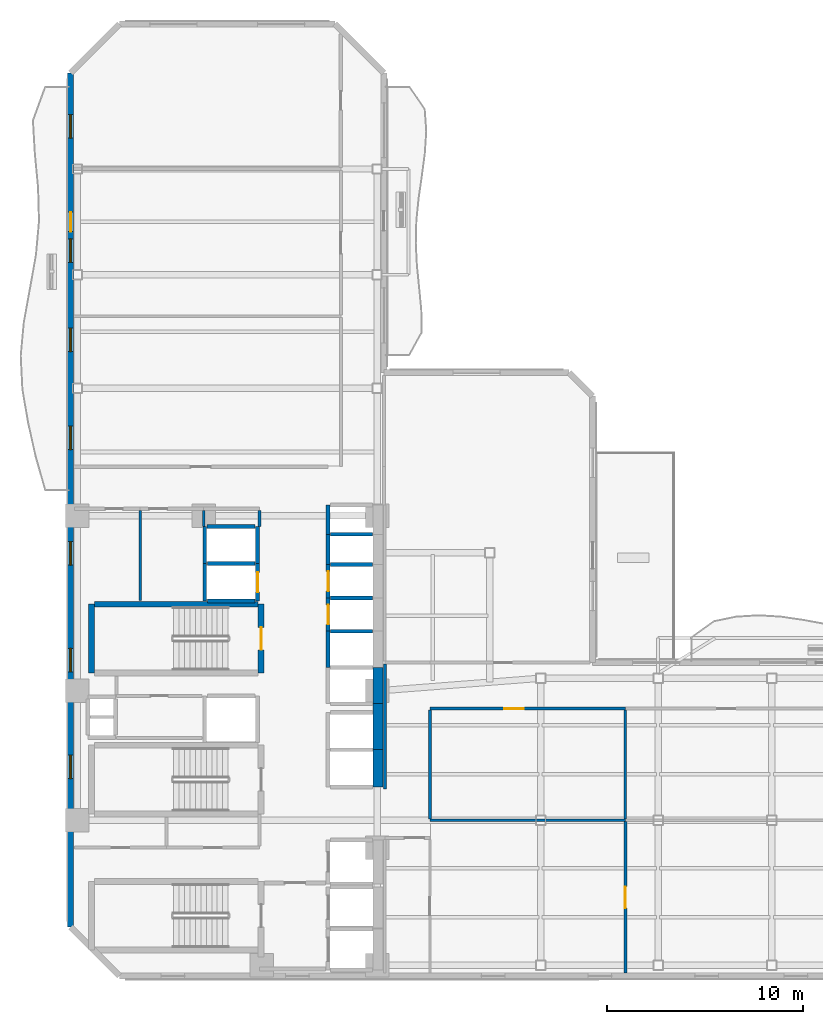
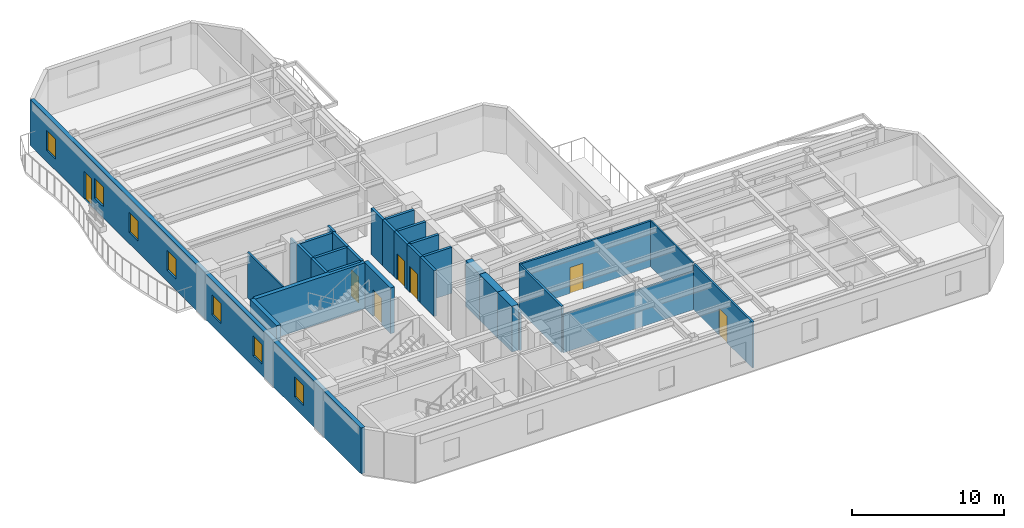
# One storey, part 4 of 11: 32 walls, 7 doors, 7 windows, 14 openings.
"""IFC4 building model written with IfcOpenShell, lengths in metres."""

from ifc_helpers import new_model, si_unit, direction, frame, frame_2d, origin, place, context, subcontext, project, spatial, rectangle, extrude, material, layer, layer_set, type_object, element, fill, save


model = new_model("IFC4")

# Units and contexts
model_context = context("Model", 3, precision=1e-05, world=origin(), true_north=direction((0.0, 1.0)))
body_context = subcontext(model_context, "Body", "Model", "MODEL_VIEW")
ifc_project = project(units=[si_unit("LENGTHUNIT", "METRE"), si_unit("AREAUNIT", "SQUARE_METRE"), si_unit("VOLUMEUNIT", "CUBIC_METRE"), si_unit("PLANEANGLEUNIT", "RADIAN"), si_unit("MASSUNIT", "GRAM", prefix="KILO")], contexts=[model_context])

# Site, building, storey
site_placement = place(None, origin())
site = spatial("IfcSite", under=ifc_project, at=site_placement, CompositionType="ELEMENT")
building_placement = place(site_placement, origin())
building = spatial("IfcBuilding", under=site, at=building_placement, Name="Mawjaban Terraces University", CompositionType="ELEMENT")
storey_placement = place(building_placement, frame((0.0, 0.0, 103.39990234375)))
storey = spatial("IfcBuildingStorey", under=building, at=storey_placement, Name="L24", CompositionType="ELEMENT", Elevation=103.39990234375)

# Walls
ifc_material_1 = material(Name="Concrete C60/75", Category="concrete")
ifc_layer_1 = layer(ifc_material_1, 0.5)
ifc_layer_set_1 = layer_set([ifc_layer_1], Name="Concrete C60/75")
wall_type_1 = type_object("IfcWallType", Name="CoreShearWall_500", PredefinedType="SHEAR", material=ifc_layer_set_1)
wall_1_placement = place(storey_placement, frame((37.699951171875, 9.64990234375, 0.0), z_axis=(0.0, 0.0, 1.0), x_axis=(0.0, 1.0, 0.0)))
element("IfcWall", 1, at=wall_1_placement, inside=storey, type_object=wall_type_1, Name="L24 Lift PL-H1 Hoistway Wall East", PredefinedType="SHEAR", context=body_context, shape_type="SweptSolid", body=[
    extrude(rectangle(XDim=1.900146484375, YDim=0.5, at=frame_2d((0.9501953125, 0.0))), origin(), (0.0, 0.0, 1.0), 3.690185546875),
])
wall_2_placement = place(storey_placement, frame((37.699951171875, 11.550048828125, 0.0), z_axis=(0.0, 0.0, 1.0), x_axis=(0.0, 1.0, 0.0)))
element("IfcWall", 2, at=wall_2_placement, inside=storey, type_object=wall_type_1, Name="L24 Lift PL-H2 Hoistway Wall East", PredefinedType="SHEAR", context=body_context, shape_type="SweptSolid", body=[
    extrude(rectangle(XDim=2.349853515625, YDim=0.5, at=frame_2d((1.1748046875, 0.0))), origin(), (0.0, 0.0, 1.0), 3.690185546875),
])
wall_3_placement = place(storey_placement, frame((37.699951171875, 13.89990234375, 0.0), z_axis=(0.0, 0.0, 1.0), x_axis=(0.0, 1.0, 0.0)))
element("IfcWall", 3, at=wall_3_placement, inside=storey, type_object=wall_type_1, Name="L24 Lift OL-1 Hoistway Wall East", PredefinedType="SHEAR", context=body_context, shape_type="SweptSolid", body=[
    extrude(rectangle(XDim=1.85009765625, YDim=0.5, at=frame_2d((0.925048828125, 0.0))), origin(), (0.0, 0.0, 1.0), 3.690185546875),
])

# Wall, opening, door
ifc_material_2 = material(Name="Fire-rated gypsum board on steel stud", Category="steel")
ifc_layer_2 = layer(ifc_material_2, 0.159912109375)
ifc_layer_set_2 = layer_set([ifc_layer_2], Name="Fire-rated gypsum board on steel stud")
wall_type_2 = type_object("IfcWallType", Name="CorridorPartition_160", PredefinedType="PARTITIONING", material=ifc_layer_set_2)
wall_4_placement = place(storey_placement, frame((40.35009765625, 13.64990234375, 0.0), z_axis=(0.0, 0.0, 1.0), x_axis=(1.0, 0.0, 0.0)))
wall_4 = element("IfcWall", 4, at=wall_4_placement, inside=storey, type_object=wall_type_2, Name="L24 Inner Terrace Gallery Corridor East Partition 14", PredefinedType="PARTITIONING", context=body_context, shape_type="SweptSolid", body=[
    extrude(rectangle(XDim=9.97998046875, YDim=0.159912109375, at=frame_2d((4.989990234375, 0.0))), origin(), (0.0, 0.0, 1.0), 3.690185546875),
])
opening_1_placement = place(wall_4_placement, frame((3.7900390625, 0.0, 0.0)))
opening_1 = element("IfcOpeningElement", 5, at=opening_1_placement, cuts=wall_4, Name="Opening ID-100", PredefinedType="OPENING", context=body_context, shape_type="SweptSolid", body=[
    extrude(rectangle(XDim=1.0, YDim=2.10009765625, at=frame_2d((0.5, 1.050048828125))), frame((0.0, 0.08984375, 0.0), z_axis=(0.0, -1.0, 0.0), x_axis=(1.0, 0.0, 0.0)), (0.0, 0.0, 1.0), 0.179931640625),
])
ifc_material_3 = material(Name="Powder-coated steel frame and solid acoustic timber leaf", Category="steel")
door_type_1 = type_object("IfcDoorType", Name="ClassroomDoor_1000x2100", OperationType="NOTDEFINED", PredefinedType="DOOR", material=ifc_material_3)
door_1_placement = place(opening_1_placement, origin())
door_1 = element("IfcDoor", 6, at=door_1_placement, inside=storey, type_object=door_type_1, Name="L24 Classroom 3 Door", OperationType="SINGLE_SWING_RIGHT", OverallHeight=2.10009765625, OverallWidth=1.0, PredefinedType="DOOR", context=body_context, shape_type="SweptSolid", body=[
    extrude(rectangle(XDim=1.0, YDim=2.10009765625, at=frame_2d((0.5, 1.050048828125))), frame((0.0, 0.02490234375, 0.0), z_axis=(0.0, -1.0, 0.0), x_axis=(1.0, 0.0, 0.0)), (0.0, 0.0, 1.0), 0.050048828125),
])
fill(opening_1, door_1)

# Walls
wall_5_placement = place(storey_placement, frame((31.64990234375, 23.77490234375, 0.0), z_axis=(0.0, 0.0, 1.0), x_axis=(0.0, -1.0, 0.0)))
element("IfcWall", 7, at=wall_5_placement, inside=storey, type_object=wall_type_2, Name="L24 Passenger Lift Lobby Partition 27", PredefinedType="PARTITIONING", context=body_context, shape_type="SweptSolid", body=[
    extrude(rectangle(XDim=0.824951171875, YDim=0.159912109375, at=frame_2d((0.41259765625, 0.0))), origin(), (0.0, 0.0, 1.0), 3.690185546875),
])
wall_6_placement = place(storey_placement, frame((38.050048828125, 15.925048828125, 0.0), z_axis=(0.0, 0.0, 1.0), x_axis=(0.0, -1.0, 0.0)))
element("IfcWall", 8, at=wall_6_placement, inside=storey, type_object=wall_type_2, Name="L24 Inner Gallery Link Corridor Partition 34", PredefinedType="PARTITIONING", context=body_context, shape_type="SweptSolid", body=[
    extrude(rectangle(XDim=6.375, YDim=0.159912109375, at=frame_2d((3.1875, 0.0))), origin(), (0.0, 0.0, 1.0), 3.07421875),
])
wall_7_placement = place(storey_placement, frame((40.35009765625, 8.008056640625, 0.0), z_axis=(0.0, 0.0, 1.0), x_axis=(0.0, 1.0, 0.0)))
element("IfcWall", 9, at=wall_7_placement, inside=storey, type_object=wall_type_2, Name="L24 Inner Gallery Link Corridor Partition 37", PredefinedType="PARTITIONING", context=body_context, shape_type="SweptSolid", body=[
    extrude(rectangle(XDim=5.56689453125, YDim=0.159912109375, at=frame_2d((2.783447265625, 0.0))), origin(), (0.0, 0.0, 1.0), 3.690185546875),
])

# Wall, openings, door, windows
ifc_material_4 = material(Name="Insulated terracotta rainscreen on concrete backup C40/50", Category="masonry")
ifc_layer_3 = layer(ifc_material_4, 0.300048828125)
ifc_layer_set_3 = layer_set([ifc_layer_3], Name="Insulated terracotta rainscreen on concrete backup C40/50")
wall_type_3 = type_object("IfcWallType", Name="ExtTerracottaWall_300", PredefinedType="SOLIDWALL", material=ifc_layer_set_3)
wall_8_placement = place(storey_placement, frame((22.0, 46.10009765625, 0.0), z_axis=(0.0, 0.0, 1.0), x_axis=(0.0, -1.0, 0.0)))
wall_8 = element("IfcWall", 10, at=wall_8_placement, inside=storey, type_object=wall_type_3, Name="L24 Exterior Terracotta Wall 13", PredefinedType="SOLIDWALL", context=body_context, shape_type="SweptSolid", body=[
    extrude(rectangle(XDim=43.60009765625, YDim=0.300048828125, at=frame_2d((21.800048828125, 0.0))), origin(), (0.0, 0.0, 1.0), 3.690185546875),
])
opening_2_placement = place(wall_8_placement, frame((7.10009765625, 0.0, 0.0)))
opening_2 = element("IfcOpeningElement", 11, at=opening_2_placement, cuts=wall_8, Name="Opening BD-100", PredefinedType="OPENING", context=body_context, shape_type="SweptSolid", body=[
    extrude(rectangle(XDim=1.0, YDim=2.199951171875, at=frame_2d((0.5, 1.10009765625))), frame((0.0, 0.159912109375, 0.0), z_axis=(0.0, -1.0, 0.0), x_axis=(1.0, 0.0, 0.0)), (0.0, 0.0, 1.0), 0.320068359375),
])
opening_3_placement = place(wall_8_placement, frame((2.125, 0.0, 0.89990234375)))
opening_3 = element("IfcOpeningElement", 12, at=opening_3_placement, cuts=wall_8, Name="Opening W-01", PredefinedType="OPENING", context=body_context, shape_type="SweptSolid", body=[
    extrude(rectangle(XDim=1.199951171875, YDim=1.60009765625, at=frame_2d((0.60009765625, 0.800048828125))), frame((0.0, 0.159912109375, 0.0), z_axis=(0.0, -1.0, 0.0), x_axis=(1.0, 0.0, 0.0)), (0.0, 0.0, 1.0), 0.320068359375),
])
opening_4_placement = place(wall_8_placement, frame((8.47509765625, 0.0, 0.89990234375)))
opening_4 = element("IfcOpeningElement", 13, at=opening_4_placement, cuts=wall_8, Name="Opening W-01", PredefinedType="OPENING", context=body_context, shape_type="SweptSolid", body=[
    extrude(rectangle(XDim=1.199951171875, YDim=1.60009765625, at=frame_2d((0.60009765625, 0.800048828125))), frame((0.0, 0.159912109375, 0.0), z_axis=(0.0, -1.0, 0.0), x_axis=(1.0, 0.0, 0.0)), (0.0, 0.0, 1.0), 0.320068359375),
])
opening_5_placement = place(wall_8_placement, frame((13.02490234375, 0.0, 0.89990234375)))
opening_5 = element("IfcOpeningElement", 14, at=opening_5_placement, cuts=wall_8, Name="Opening W-01", PredefinedType="OPENING", context=body_context, shape_type="SweptSolid", body=[
    extrude(rectangle(XDim=1.199951171875, YDim=1.60009765625, at=frame_2d((0.60009765625, 0.800048828125))), frame((0.0, 0.159912109375, 0.0), z_axis=(0.0, -1.0, 0.0), x_axis=(1.0, 0.0, 0.0)), (0.0, 0.0, 1.0), 0.320068359375),
])
opening_6_placement = place(wall_8_placement, frame((18.02490234375, 0.0, 0.89990234375)))
opening_6 = element("IfcOpeningElement", 15, at=opening_6_placement, cuts=wall_8, Name="Opening W-01", PredefinedType="OPENING", context=body_context, shape_type="SweptSolid", body=[
    extrude(rectangle(XDim=1.199951171875, YDim=1.60009765625, at=frame_2d((0.60009765625, 0.800048828125))), frame((0.0, 0.159912109375, 0.0), z_axis=(0.0, -1.0, 0.0), x_axis=(1.0, 0.0, 0.0)), (0.0, 0.0, 1.0), 0.320068359375),
])
opening_7_placement = place(wall_8_placement, frame((23.925048828125, 0.0, 0.89990234375)))
opening_7 = element("IfcOpeningElement", 16, at=opening_7_placement, cuts=wall_8, Name="Opening W-01", PredefinedType="OPENING", context=body_context, shape_type="SweptSolid", body=[
    extrude(rectangle(XDim=1.199951171875, YDim=1.60009765625, at=frame_2d((0.60009765625, 0.800048828125))), frame((0.0, 0.159912109375, 0.0), z_axis=(0.0, -1.0, 0.0), x_axis=(1.0, 0.0, 0.0)), (0.0, 0.0, 1.0), 0.320068359375),
])
opening_8_placement = place(wall_8_placement, frame((29.375, 0.0, 0.89990234375)))
opening_8 = element("IfcOpeningElement", 17, at=opening_8_placement, cuts=wall_8, Name="Opening W-01", PredefinedType="OPENING", context=body_context, shape_type="SweptSolid", body=[
    extrude(rectangle(XDim=1.199951171875, YDim=1.60009765625, at=frame_2d((0.60009765625, 0.800048828125))), frame((0.0, 0.159912109375, 0.0), z_axis=(0.0, -1.0, 0.0), x_axis=(1.0, 0.0, 0.0)), (0.0, 0.0, 1.0), 0.320068359375),
])
opening_9_placement = place(wall_8_placement, frame((34.824951171875, 0.0, 0.89990234375)))
opening_9 = element("IfcOpeningElement", 18, at=opening_9_placement, cuts=wall_8, Name="Opening W-01", PredefinedType="OPENING", context=body_context, shape_type="SweptSolid", body=[
    extrude(rectangle(XDim=1.199951171875, YDim=1.60009765625, at=frame_2d((0.60009765625, 0.800048828125))), frame((0.0, 0.159912109375, 0.0), z_axis=(0.0, -1.0, 0.0), x_axis=(1.0, 0.0, 0.0)), (0.0, 0.0, 1.0), 0.320068359375),
])
ifc_material_5 = material(Name="Thermally broken anodised aluminium and laminated safety glass", Category="aluminium")
door_type_2 = type_object("IfcDoorType", Name="BalconyGlazedDoor_1000x2200", OperationType="NOTDEFINED", PredefinedType="DOOR", material=ifc_material_5)
door_2_placement = place(opening_2_placement, origin())
door_2 = element("IfcDoor", 19, at=door_2_placement, inside=storey, type_object=door_type_2, Name="L24 Balcony Access Door west", OperationType="SINGLE_SWING_LEFT", OverallHeight=2.199951171875, OverallWidth=1.0, PredefinedType="DOOR", context=body_context, shape_type="SweptSolid", body=[
    extrude(rectangle(XDim=1.0, YDim=2.199951171875, at=frame_2d((0.5, 1.10009765625))), frame((0.0, 0.02490234375, 0.0), z_axis=(0.0, -1.0, 0.0), x_axis=(1.0, 0.0, 0.0)), (0.0, 0.0, 1.0), 0.050048828125),
])
fill(opening_2, door_2)
ifc_material_6 = material(Name="Low-E solar-control double glazing in thermally broken aluminium frame", Category="aluminium")
window_type = type_object("IfcWindowType", Name="Win_1200x1600", PartitioningType="SINGLE_PANEL", PredefinedType="WINDOW", material=ifc_material_6)
window_1_placement = place(opening_3_placement, origin())
window_1 = element("IfcWindow", 20, at=window_1_placement, inside=storey, type_object=window_type, Name="L24 Facade Window 13.1", OverallHeight=1.60009765625, OverallWidth=1.199951171875, PartitioningType="SINGLE_PANEL", PredefinedType="WINDOW", context=body_context, shape_type="SweptSolid", body=[
    extrude(rectangle(XDim=1.199951171875, YDim=1.60009765625, at=frame_2d((0.60009765625, 0.800048828125))), frame((0.0, 0.030029296875, 0.0), z_axis=(0.0, -1.0, 0.0), x_axis=(1.0, 0.0, 0.0)), (0.0, 0.0, 1.0), 0.06005859375),
])
fill(opening_3, window_1)
window_2_placement = place(opening_4_placement, origin())
window_2 = element("IfcWindow", 21, at=window_2_placement, inside=storey, type_object=window_type, Name="L24 Facade Window 13.2", OverallHeight=1.60009765625, OverallWidth=1.199951171875, PartitioningType="SINGLE_PANEL", PredefinedType="WINDOW", context=body_context, shape_type="SweptSolid", body=[
    extrude(rectangle(XDim=1.199951171875, YDim=1.60009765625, at=frame_2d((0.60009765625, 0.800048828125))), frame((0.0, 0.030029296875, 0.0), z_axis=(0.0, -1.0, 0.0), x_axis=(1.0, 0.0, 0.0)), (0.0, 0.0, 1.0), 0.06005859375),
])
fill(opening_4, window_2)
window_3_placement = place(opening_5_placement, origin())
window_3 = element("IfcWindow", 22, at=window_3_placement, inside=storey, type_object=window_type, Name="L24 Facade Window 13.3", OverallHeight=1.60009765625, OverallWidth=1.199951171875, PartitioningType="SINGLE_PANEL", PredefinedType="WINDOW", context=body_context, shape_type="SweptSolid", body=[
    extrude(rectangle(XDim=1.199951171875, YDim=1.60009765625, at=frame_2d((0.60009765625, 0.800048828125))), frame((0.0, 0.030029296875, 0.0), z_axis=(0.0, -1.0, 0.0), x_axis=(1.0, 0.0, 0.0)), (0.0, 0.0, 1.0), 0.06005859375),
])
fill(opening_5, window_3)
window_4_placement = place(opening_6_placement, origin())
window_4 = element("IfcWindow", 23, at=window_4_placement, inside=storey, type_object=window_type, Name="L24 Facade Window 13.4", OverallHeight=1.60009765625, OverallWidth=1.199951171875, PartitioningType="SINGLE_PANEL", PredefinedType="WINDOW", context=body_context, shape_type="SweptSolid", body=[
    extrude(rectangle(XDim=1.199951171875, YDim=1.60009765625, at=frame_2d((0.60009765625, 0.800048828125))), frame((0.0, 0.030029296875, 0.0), z_axis=(0.0, -1.0, 0.0), x_axis=(1.0, 0.0, 0.0)), (0.0, 0.0, 1.0), 0.06005859375),
])
fill(opening_6, window_4)
window_5_placement = place(opening_7_placement, origin())
window_5 = element("IfcWindow", 24, at=window_5_placement, inside=storey, type_object=window_type, Name="L24 Facade Window 13.5", OverallHeight=1.60009765625, OverallWidth=1.199951171875, PartitioningType="SINGLE_PANEL", PredefinedType="WINDOW", context=body_context, shape_type="SweptSolid", body=[
    extrude(rectangle(XDim=1.199951171875, YDim=1.60009765625, at=frame_2d((0.60009765625, 0.800048828125))), frame((0.0, 0.030029296875, 0.0), z_axis=(0.0, -1.0, 0.0), x_axis=(1.0, 0.0, 0.0)), (0.0, 0.0, 1.0), 0.06005859375),
])
fill(opening_7, window_5)
window_6_placement = place(opening_8_placement, origin())
window_6 = element("IfcWindow", 25, at=window_6_placement, inside=storey, type_object=window_type, Name="L24 Facade Window 13.6", OverallHeight=1.60009765625, OverallWidth=1.199951171875, PartitioningType="SINGLE_PANEL", PredefinedType="WINDOW", context=body_context, shape_type="SweptSolid", body=[
    extrude(rectangle(XDim=1.199951171875, YDim=1.60009765625, at=frame_2d((0.60009765625, 0.800048828125))), frame((0.0, 0.030029296875, 0.0), z_axis=(0.0, -1.0, 0.0), x_axis=(1.0, 0.0, 0.0)), (0.0, 0.0, 1.0), 0.06005859375),
])
fill(opening_8, window_6)
window_7_placement = place(opening_9_placement, origin())
window_7 = element("IfcWindow", 26, at=window_7_placement, inside=storey, type_object=window_type, Name="L24 Facade Window 13.7", OverallHeight=1.60009765625, OverallWidth=1.199951171875, PartitioningType="SINGLE_PANEL", PredefinedType="WINDOW", context=body_context, shape_type="SweptSolid", body=[
    extrude(rectangle(XDim=1.199951171875, YDim=1.60009765625, at=frame_2d((0.60009765625, 0.800048828125))), frame((0.0, 0.030029296875, 0.0), z_axis=(0.0, -1.0, 0.0), x_axis=(1.0, 0.0, 0.0)), (0.0, 0.0, 1.0), 0.06005859375),
])
fill(opening_9, window_7)

# Walls
ifc_material_7 = material(Name="Concrete C40/50", Category="concrete")
ifc_layer_4 = layer(ifc_material_7, 0.199951171875)
ifc_layer_set_4 = layer_set([ifc_layer_4], Name="Concrete C40/50")
wall_type_4 = type_object("IfcWallType", Name="FireLobbyWall_200", PredefinedType="SOLIDWALL", material=ifc_layer_set_4)
wall_9_placement = place(storey_placement, frame((35.14990234375, 17.60009765625, 0.0), z_axis=(0.0, 0.0, 1.0), x_axis=(0.0, -1.0, 0.0)))
element("IfcWall", 27, at=wall_9_placement, inside=storey, type_object=wall_type_4, Name="L24 Lift OL-2 Hoistway Wall West", PredefinedType="SOLIDWALL", context=body_context, shape_type="SweptSolid", body=[
    extrude(rectangle(XDim=1.85009765625, YDim=0.199951171875, at=frame_2d((0.925048828125, 0.0))), origin(), (0.0, 0.0, 1.0), 3.690185546875),
])
wall_10_placement = place(storey_placement, frame((37.419921875, 17.60009765625, 0.0), z_axis=(0.0, 0.0, 1.0), x_axis=(-1.0, 0.0, 0.0)))
element("IfcWall", 28, at=wall_10_placement, inside=storey, type_object=wall_type_4, Name="L24 Lift OL-2 Hoistway Wall North", PredefinedType="SOLIDWALL", context=body_context, shape_type="SweptSolid", body=[
    extrude(rectangle(XDim=2.139892578125, YDim=0.199951171875, at=frame_2d((1.06982421875, 0.0))), origin(), (0.0, 0.0, 1.0), 3.690185546875),
])

# Wall, opening, door
wall_11_placement = place(storey_placement, frame((35.14990234375, 19.300048828125, 0.0), z_axis=(0.0, 0.0, 1.0), x_axis=(0.0, -1.0, 0.0)))
wall_11 = element("IfcWall", 29, at=wall_11_placement, inside=storey, type_object=wall_type_4, Name="L24 Lift PL-M1 Hoistway Wall West", PredefinedType="SOLIDWALL", context=body_context, shape_type="SweptSolid", body=[
    extrude(rectangle(XDim=1.699951171875, YDim=0.199951171875, at=frame_2d((0.85009765625, 0.0))), origin(), (0.0, 0.0, 1.0), 3.690185546875),
])
opening_10_placement = place(wall_11_placement, frame((0.35009765625, 0.0, 0.0)))
opening_10 = element("IfcOpeningElement", 30, at=opening_10_placement, cuts=wall_11, Name="Opening LD-PL-M1", PredefinedType="OPENING", context=body_context, shape_type="SweptSolid", body=[
    extrude(rectangle(XDim=1.0, YDim=2.10009765625, at=frame_2d((0.5, 1.050048828125))), frame((0.0, 0.10986328125, 0.0), z_axis=(0.0, -1.0, 0.0), x_axis=(1.0, 0.0, 0.0)), (0.0, 0.0, 1.0), 0.219970703125),
])
ifc_material_8 = material(Name="Powder-coated steel frame and fire-rated steel-faced leaf", Category="steel")
door_type_3 = type_object("IfcDoorType", Name="LiftLandingSliding_1000x2100", OperationType="NOTDEFINED", PredefinedType="DOOR", material=ifc_material_8)
door_3_placement = place(opening_10_placement, origin())
door_3 = element("IfcDoor", 31, at=door_3_placement, inside=storey, type_object=door_type_3, Name="L24 Lift PL-M1 Sliding Landing Door", OperationType="DOUBLE_DOOR_SLIDING", OverallHeight=2.10009765625, OverallWidth=1.0, PredefinedType="DOOR", context=body_context, shape_type="SweptSolid", body=[
    extrude(rectangle(XDim=1.0, YDim=2.10009765625, at=frame_2d((0.5, 1.050048828125))), frame((0.0, 0.02490234375, 0.0), z_axis=(0.0, -1.0, 0.0), x_axis=(1.0, 0.0, 0.0)), (0.0, 0.0, 1.0), 0.050048828125),
])
fill(opening_10, door_3)

# Wall
wall_12_placement = place(storey_placement, frame((37.419921875, 19.300048828125, 0.0), z_axis=(0.0, 0.0, 1.0), x_axis=(-1.0, 0.0, 0.0)))
element("IfcWall", 32, at=wall_12_placement, inside=storey, type_object=wall_type_4, Name="L24 Lift PL-M1 Hoistway Wall North", PredefinedType="SOLIDWALL", context=body_context, shape_type="SweptSolid", body=[
    extrude(rectangle(XDim=2.139892578125, YDim=0.199951171875, at=frame_2d((1.06982421875, 0.0))), origin(), (0.0, 0.0, 1.0), 3.690185546875),
])

# Wall, opening, door
wall_13_placement = place(storey_placement, frame((35.14990234375, 21.0, 0.0), z_axis=(0.0, 0.0, 1.0), x_axis=(0.0, -1.0, 0.0)))
wall_13 = element("IfcWall", 33, at=wall_13_placement, inside=storey, type_object=wall_type_4, Name="L24 Lift PL-M2 Hoistway Wall West", PredefinedType="SOLIDWALL", context=body_context, shape_type="SweptSolid", body=[
    extrude(rectangle(XDim=1.699951171875, YDim=0.199951171875, at=frame_2d((0.85009765625, 0.0))), origin(), (0.0, 0.0, 1.0), 3.690185546875),
])
opening_11_placement = place(wall_13_placement, frame((0.35009765625, 0.0, 0.0)))
opening_11 = element("IfcOpeningElement", 34, at=opening_11_placement, cuts=wall_13, Name="Opening LD-PL-M2", PredefinedType="OPENING", context=body_context, shape_type="SweptSolid", body=[
    extrude(rectangle(XDim=1.0, YDim=2.10009765625, at=frame_2d((0.5, 1.050048828125))), frame((0.0, 0.10986328125, 0.0), z_axis=(0.0, -1.0, 0.0), x_axis=(1.0, 0.0, 0.0)), (0.0, 0.0, 1.0), 0.219970703125),
])
door_4_placement = place(opening_11_placement, origin())
door_4 = element("IfcDoor", 35, at=door_4_placement, inside=storey, type_object=door_type_3, Name="L24 Lift PL-M2 Sliding Landing Door", OperationType="DOUBLE_DOOR_SLIDING", OverallHeight=2.10009765625, OverallWidth=1.0, PredefinedType="DOOR", context=body_context, shape_type="SweptSolid", body=[
    extrude(rectangle(XDim=1.0, YDim=2.10009765625, at=frame_2d((0.5, 1.050048828125))), frame((0.0, 0.02490234375, 0.0), z_axis=(0.0, -1.0, 0.0), x_axis=(1.0, 0.0, 0.0)), (0.0, 0.0, 1.0), 0.050048828125),
])
fill(opening_11, door_4)

# Walls
wall_14_placement = place(storey_placement, frame((37.419921875, 21.0, 0.0), z_axis=(0.0, 0.0, 1.0), x_axis=(-1.0, 0.0, 0.0)))
element("IfcWall", 36, at=wall_14_placement, inside=storey, type_object=wall_type_4, Name="L24 Lift PL-M2 Hoistway Wall North", PredefinedType="SOLIDWALL", context=body_context, shape_type="SweptSolid", body=[
    extrude(rectangle(XDim=2.139892578125, YDim=0.199951171875, at=frame_2d((1.06982421875, 0.0))), origin(), (0.0, 0.0, 1.0), 3.690185546875),
])
wall_15_placement = place(storey_placement, frame((28.85009765625, 21.050048828125, 0.0), z_axis=(0.0, 0.0, 1.0), x_axis=(0.0, -1.0, 0.0)))
element("IfcWall", 37, at=wall_15_placement, inside=storey, type_object=wall_type_4, Name="L24 Lift PL-M3 Hoistway Wall West", PredefinedType="SOLIDWALL", context=body_context, shape_type="SweptSolid", body=[
    extrude(rectangle(XDim=1.900146484375, YDim=0.199951171875, at=frame_2d((0.9501953125, 0.0))), origin(), (0.0, 0.0, 1.0), 3.690185546875),
])

# Wall, opening, door
wall_16_placement = place(storey_placement, frame((31.550048828125, 19.14990234375, 0.0), z_axis=(0.0, 0.0, 1.0), x_axis=(0.0, 1.0, 0.0)))
wall_16 = element("IfcWall", 38, at=wall_16_placement, inside=storey, type_object=wall_type_4, Name="L24 Lift PL-M3 Hoistway Wall East", PredefinedType="SOLIDWALL", context=body_context, shape_type="SweptSolid", body=[
    extrude(rectangle(XDim=1.900146484375, YDim=0.199951171875, at=frame_2d((0.9501953125, 0.0))), origin(), (0.0, 0.0, 1.0), 3.690185546875),
])
opening_12_placement = place(wall_16_placement, frame((0.449951171875, 0.0, 0.0)))
opening_12 = element("IfcOpeningElement", 39, at=opening_12_placement, cuts=wall_16, Name="Opening LD-PL-M3", PredefinedType="OPENING", context=body_context, shape_type="SweptSolid", body=[
    extrude(rectangle(XDim=1.0, YDim=2.10009765625, at=frame_2d((0.5, 1.050048828125))), frame((0.0, 0.10986328125, 0.0), z_axis=(0.0, -1.0, 0.0), x_axis=(1.0, 0.0, 0.0)), (0.0, 0.0, 1.0), 0.219970703125),
])
door_5_placement = place(opening_12_placement, origin())
door_5 = element("IfcDoor", 40, at=door_5_placement, inside=storey, type_object=door_type_3, Name="L24 Lift PL-M3 Sliding Landing Door", OperationType="DOUBLE_DOOR_SLIDING", OverallHeight=2.10009765625, OverallWidth=1.0, PredefinedType="DOOR", context=body_context, shape_type="SweptSolid", body=[
    extrude(rectangle(XDim=1.0, YDim=2.10009765625, at=frame_2d((0.5, 1.050048828125))), frame((0.0, 0.02490234375, 0.0), z_axis=(0.0, -1.0, 0.0), x_axis=(1.0, 0.0, 0.0)), (0.0, 0.0, 1.0), 0.050048828125),
])
fill(opening_12, door_5)

# Walls
for number, where, z_axis, x_axis, name in (
    (41, (28.97998046875, 19.14990234375, 0.0), (0.0, 0.0, 1.0), (1.0, 0.0, 0.0), "L24 Lift PL-M3 Hoistway Wall South"),
    (42, (31.419921875, 21.050048828125, 0.0), (0.0, 0.0, 1.0), (-1.0, 0.0, 0.0), "L24 Lift PL-M3 Hoistway Wall North"),
):
    element("IfcWall", number, at=place(storey_placement, frame(where, z_axis=z_axis, x_axis=x_axis)), inside=storey, type_object=wall_type_4, Name=name, PredefinedType="SOLIDWALL", context=body_context, shape_type="SweptSolid", body=[
        extrude(rectangle(XDim=2.43994140625, YDim=0.199951171875, at=frame_2d((1.219970703125, 0.0))), origin(), (0.0, 0.0, 1.0), 3.690185546875),
    ])
wall_17_placement = place(storey_placement, frame((35.14990234375, 22.550048828125, 0.0), z_axis=(0.0, 0.0, 1.0), x_axis=(0.0, -1.0, 0.0)))
element("IfcWall", 43, at=wall_17_placement, inside=storey, type_object=wall_type_4, Name="L24 Lift PL-L1 Hoistway Wall West", PredefinedType="SOLIDWALL", context=body_context, shape_type="SweptSolid", body=[
    extrude(rectangle(XDim=1.550048828125, YDim=0.199951171875, at=frame_2d((0.77490234375, 0.0))), origin(), (0.0, 0.0, 1.0), 3.690185546875),
])
wall_18_placement = place(storey_placement, frame((37.419921875, 22.550048828125, 0.0), z_axis=(0.0, 0.0, 1.0), x_axis=(-1.0, 0.0, 0.0)))
element("IfcWall", 44, at=wall_18_placement, inside=storey, type_object=wall_type_4, Name="L24 Lift PL-L1 Hoistway Wall North", PredefinedType="SOLIDWALL", context=body_context, shape_type="SweptSolid", body=[
    extrude(rectangle(XDim=2.139892578125, YDim=0.199951171875, at=frame_2d((1.06982421875, 0.0))), origin(), (0.0, 0.0, 1.0), 3.690185546875),
])
wall_19_placement = place(storey_placement, frame((35.14990234375, 24.050048828125, 0.0), z_axis=(0.0, 0.0, 1.0), x_axis=(0.0, -1.0, 0.0)))
element("IfcWall", 45, at=wall_19_placement, inside=storey, type_object=wall_type_4, Name="L24 Lift PL-L2 Hoistway Wall West", PredefinedType="SOLIDWALL", context=body_context, shape_type="SweptSolid", body=[
    extrude(rectangle(XDim=1.5, YDim=0.199951171875, at=frame_2d((0.75, 0.0))), origin(), (0.0, 0.0, 1.0), 3.690185546875),
])
for number, where, z_axis, x_axis, name in (
    (46, (28.85009765625, 22.949951171875, 0.0), (0.0, 0.0, 1.0), (0.0, -1.0, 0.0), "L24 Lift PL-L3 Hoistway Wall West"),
    (47, (31.550048828125, 21.050048828125, 0.0), (0.0, 0.0, 1.0), (0.0, 1.0, 0.0), "L24 Lift PL-L3 Hoistway Wall East"),
):
    element("IfcWall", number, at=place(storey_placement, frame(where, z_axis=z_axis, x_axis=x_axis)), inside=storey, type_object=wall_type_4, Name=name, PredefinedType="SOLIDWALL", context=body_context, shape_type="SweptSolid", body=[
        extrude(rectangle(XDim=1.89990234375, YDim=0.199951171875, at=frame_2d((0.949951171875, 0.0))), origin(), (0.0, 0.0, 1.0), 3.690185546875),
    ])
wall_20_placement = place(storey_placement, frame((31.429931640625, 22.949951171875, 0.0), z_axis=(0.0, 0.0, 1.0), x_axis=(-1.0, 0.0, 0.0)))
element("IfcWall", 48, at=wall_20_placement, inside=storey, type_object=wall_type_4, Name="L24 Lift PL-L3 Hoistway Wall North", PredefinedType="SOLIDWALL", context=body_context, shape_type="SweptSolid", body=[
    extrude(rectangle(XDim=2.4599609375, YDim=0.199951171875, at=frame_2d((1.22998046875, 0.0))), origin(), (0.0, 0.0, 1.0), 3.690185546875),
])

# Wall, opening, door
ifc_material_9 = material(Name="Moisture-resistant gypsum board on steel stud", Category="steel")
ifc_layer_5 = layer(ifc_material_9, 0.14501953125)
ifc_layer_set_5 = layer_set([ifc_layer_5], Name="Moisture-resistant gypsum board on steel stud")
wall_type_5 = type_object("IfcWallType", Name="LabPartition_145", PredefinedType="PARTITIONING", material=ifc_layer_set_5)
wall_21_placement = place(storey_placement, frame((50.330078125, 0.14501953125, 0.0), z_axis=(0.0, 0.0, 1.0), x_axis=(0.0, 1.0, 0.0)))
wall_21 = element("IfcWall", 49, at=wall_21_placement, inside=storey, type_object=wall_type_5, Name="L24 Seminar Room 2 Partition 38", PredefinedType="PARTITIONING", context=body_context, shape_type="SweptSolid", body=[
    extrude(rectangle(XDim=7.738037109375, YDim=0.14501953125, at=frame_2d((3.869140625, 0.0))), origin(), (0.0, 0.0, 1.0), 3.690185546875),
])
opening_13_placement = place(wall_21_placement, frame((3.319091796875, 0.0, 0.0)))
opening_13 = element("IfcOpeningElement", 50, at=opening_13_placement, cuts=wall_21, Name="Opening ID-110", PredefinedType="OPENING", context=body_context, shape_type="SweptSolid", body=[
    extrude(rectangle(XDim=1.10009765625, YDim=2.14990234375, at=frame_2d((0.550048828125, 1.074951171875))), frame((0.0, 0.08251953125, 0.0), z_axis=(0.0, -1.0, 0.0), x_axis=(1.0, 0.0, 0.0)), (0.0, 0.0, 1.0), 0.1650390625),
])
door_type_4 = type_object("IfcDoorType", Name="LabDoor_1100x2150", OperationType="NOTDEFINED", PredefinedType="DOOR", material=ifc_material_3)
door_6_placement = place(opening_13_placement, origin())
door_6 = element("IfcDoor", 51, at=door_6_placement, inside=storey, type_object=door_type_4, Name="L24 Teaching Laboratory 4 Door", OperationType="SINGLE_SWING_LEFT", OverallHeight=2.14990234375, OverallWidth=1.10009765625, PredefinedType="DOOR", context=body_context, shape_type="SweptSolid", body=[
    extrude(rectangle(XDim=1.10009765625, YDim=2.14990234375, at=frame_2d((0.550048828125, 1.074951171875))), frame((0.0, 0.02490234375, 0.0), z_axis=(0.0, -1.0, 0.0), x_axis=(1.0, 0.0, 0.0)), (0.0, 0.0, 1.0), 0.050048828125),
])
fill(opening_13, door_6)

# Walls
ifc_material_10 = material(Name="Gypsum plasterboard on steel stud", Category="steel")
ifc_layer_6 = layer(ifc_material_10, 0.125)
ifc_layer_set_6 = layer_set([ifc_layer_6], Name="Gypsum plasterboard on steel stud")
wall_type_6 = type_object("IfcWallType", Name="OfficePartition_125", PredefinedType="PARTITIONING", material=ifc_layer_set_6)
wall_22_placement = place(storey_placement, frame((50.330078125, 7.949951171875, 0.0), z_axis=(0.0, 0.0, 1.0), x_axis=(-1.0, 0.0, 0.0)))
element("IfcWall", 52, at=wall_22_placement, inside=storey, type_object=wall_type_6, Name="L24 Seminar Room 2 Partition 17", PredefinedType="PARTITIONING", context=body_context, shape_type="SweptSolid", body=[
    extrude(rectangle(XDim=9.97998046875, YDim=0.125, at=frame_2d((4.989990234375, 0.0))), origin(), (0.0, 0.0, 1.0), 3.07421875),
])
wall_23_placement = place(storey_placement, frame((28.800048828125, 22.949951171875, 0.0), z_axis=(0.0, 0.0, 1.0), x_axis=(0.0, 1.0, 0.0)))
element("IfcWall", 53, at=wall_23_placement, inside=storey, type_object=wall_type_6, Name="L24 Staff Tea Pantry Partition 25", PredefinedType="PARTITIONING", context=body_context, shape_type="SweptSolid", body=[
    extrude(rectangle(XDim=0.824951171875, YDim=0.125, at=frame_2d((0.41259765625, 0.0))), origin(), (0.0, 0.0, 1.0), 3.690185546875),
])
wall_24_placement = place(storey_placement, frame((50.330078125, 8.01806640625, 0.0), z_axis=(0.0, 0.0, 1.0), x_axis=(0.0, 1.0, 0.0)))
element("IfcWall", 54, at=wall_24_placement, inside=storey, type_object=wall_type_6, Name="L24 Classroom 3 Partition 39", PredefinedType="PARTITIONING", context=body_context, shape_type="SweptSolid", body=[
    extrude(rectangle(XDim=5.556884765625, YDim=0.125, at=frame_2d((2.7783203125, 0.0))), origin(), (0.0, 0.0, 1.0), 3.690185546875),
])
ifc_layer_7 = layer(ifc_material_1, 0.300048828125)
ifc_layer_set_7 = layer_set([ifc_layer_7], Name="Concrete C60/75")
wall_type_7 = type_object("IfcWallType", Name="StairShaftWall_300", PredefinedType="SHEAR", material=ifc_layer_set_7)
wall_25_placement = place(storey_placement, frame((31.580078125, 18.97998046875, 0.0), z_axis=(0.0, 0.0, 1.0), x_axis=(-1.0, 0.0, 0.0)))
element("IfcWall", 55, at=wall_25_placement, inside=storey, type_object=wall_type_7, Name="L24 ST-2 Stair Shaft Wall 1", PredefinedType="SHEAR", context=body_context, shape_type="SweptSolid", body=[
    extrude(rectangle(XDim=8.360107421875, YDim=0.300048828125, at=frame_2d((4.18017578125, 0.0))), origin(), (0.0, 0.0, 1.0), 3.690185546875),
])
wall_26_placement = place(storey_placement, frame((23.070068359375, 18.97998046875, 0.0), z_axis=(0.0, 0.0, 1.0), x_axis=(0.0, -1.0, 0.0)))
element("IfcWall", 56, at=wall_26_placement, inside=storey, type_object=wall_type_7, Name="L24 ST-2 Stair Shaft Wall 2", PredefinedType="SHEAR", context=body_context, shape_type="SweptSolid", body=[
    extrude(rectangle(XDim=3.510009765625, YDim=0.300048828125, at=frame_2d((1.7548828125, 0.0))), origin(), (0.0, 0.0, 1.0), 3.690185546875),
])

# Wall, opening, door
wall_27_placement = place(storey_placement, frame((31.72998046875, 15.469970703125, 0.0), z_axis=(0.0, 0.0, 1.0), x_axis=(0.0, 1.0, 0.0)))
wall_27 = element("IfcWall", 57, at=wall_27_placement, inside=storey, type_object=wall_type_7, Name="L24 ST-2 Stair Shaft Wall 4", PredefinedType="SHEAR", context=body_context, shape_type="SweptSolid", body=[
    extrude(rectangle(XDim=3.510009765625, YDim=0.300048828125, at=frame_2d((1.7548828125, 0.0))), origin(), (0.0, 0.0, 1.0), 3.690185546875),
])
opening_14_placement = place(wall_27_placement, frame((1.179931640625, 0.0, 0.0)))
opening_14 = element("IfcOpeningElement", 58, at=opening_14_placement, cuts=wall_27, Name="Opening FD-115", PredefinedType="OPENING", context=body_context, shape_type="SweptSolid", body=[
    extrude(rectangle(XDim=1.14990234375, YDim=2.14990234375, at=frame_2d((0.574951171875, 1.074951171875))), frame((0.0, 0.159912109375, 0.0), z_axis=(0.0, -1.0, 0.0), x_axis=(1.0, 0.0, 0.0)), (0.0, 0.0, 1.0), 0.320068359375),
])
door_type_5 = type_object("IfcDoorType", Name="FireStairDoor_1150x2150", OperationType="NOTDEFINED", PredefinedType="DOOR", material=ifc_material_8)
door_7_placement = place(opening_14_placement, origin())
door_7 = element("IfcDoor", 59, at=door_7_placement, inside=storey, type_object=door_type_5, Name="L24 ST-2 Pressurised Stair Fire Door", OperationType="SINGLE_SWING_RIGHT", OverallHeight=2.14990234375, OverallWidth=1.14990234375, PredefinedType="DOOR", context=body_context, shape_type="SweptSolid", body=[
    extrude(rectangle(XDim=1.14990234375, YDim=2.14990234375, at=frame_2d((0.574951171875, 1.074951171875))), frame((0.0, 0.02490234375, 0.0), z_axis=(0.0, -1.0, 0.0), x_axis=(1.0, 0.0, 0.0)), (0.0, 0.0, 1.0), 0.050048828125),
])
fill(opening_14, door_7)

# Wall
ifc_material_11 = material(Name="Cement-board wet-room partition", Category="masonry")
ifc_layer_8 = layer(ifc_material_11, 0.135009765625)
ifc_layer_set_8 = layer_set([ifc_layer_8], Name="Cement-board wet-room partition")
wall_type_8 = type_object("IfcWallType", Name="WetRoomPartition_135", PredefinedType="PARTITIONING", material=ifc_layer_set_8)
wall_28_placement = place(storey_placement, frame((25.550048828125, 19.159912109375, 0.0), z_axis=(0.0, 0.0, 1.0), x_axis=(0.0, 1.0, 0.0)))
element("IfcWall", 60, at=wall_28_placement, inside=storey, type_object=wall_type_8, Name="L24 Female Toilet Partition 23", PredefinedType="PARTITIONING", context=body_context, shape_type="SweptSolid", body=[
    extrude(rectangle(XDim=4.614990234375, YDim=0.135009765625, at=frame_2d((2.3076171875, 0.0))), origin(), (0.0, 0.0, 1.0), 3.690185546875),
])

save(model, "model.ifc")
